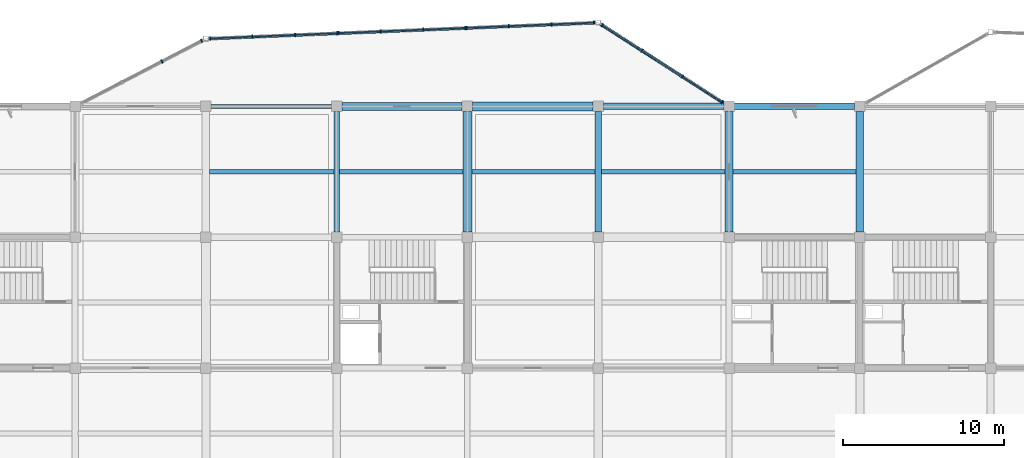
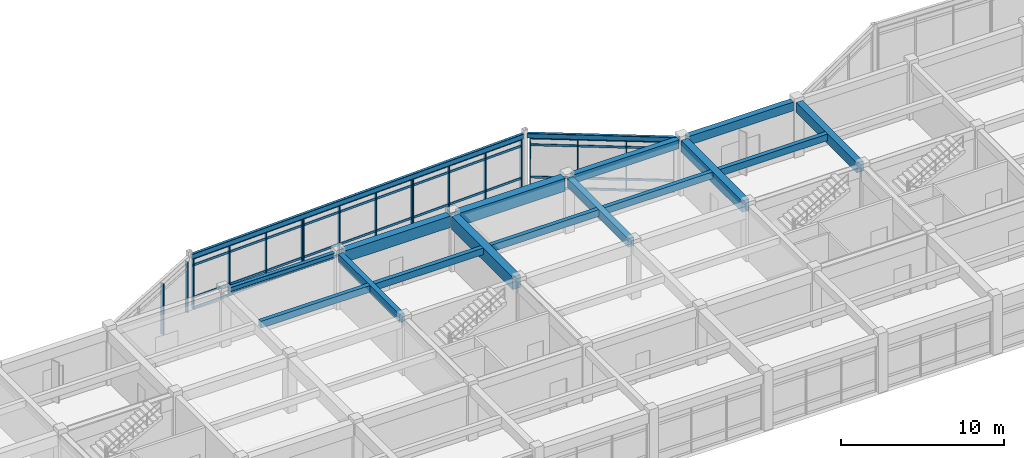
# One storey, part 46 of 89: 34 members, 17 beams, 5 elements without a shape of their own.
"""IFC4 building model written with IfcOpenShell, lengths in metres."""

from ifc_helpers import new_model, si_unit, direction, frame, origin, origin_2d, place, context, subcontext, project, spatial, rectangle, hollow_rectangle, i_section, extrude, material, layer, layer_set, material_profile, profile_set, type_object, element, aggregate, save


model = new_model("IFC4")

# Units and contexts
model_context = context("Model", 3, precision=1e-05, world=origin(), true_north=direction((0.0, 1.0)))
body_context = subcontext(model_context, "Body", "Model", "MODEL_VIEW")
ifc_project = project(units=[si_unit("LENGTHUNIT", "METRE"), si_unit("AREAUNIT", "SQUARE_METRE"), si_unit("VOLUMEUNIT", "CUBIC_METRE"), si_unit("PLANEANGLEUNIT", "RADIAN"), si_unit("MASSUNIT", "GRAM", prefix="KILO")], contexts=[model_context])

# Site, building, storey
site_placement = place(None, origin())
site = spatial("IfcSite", under=ifc_project, at=site_placement, CompositionType="ELEMENT")
building_placement = place(site_placement, origin())
building = spatial("IfcBuilding", under=site, at=building_placement, Name="Vaudrelin Polytechnic", CompositionType="ELEMENT")
storey_placement = place(building_placement, frame((0.0, 0.0, 9.68994140625)))
storey = spatial("IfcBuildingStorey", under=building, at=storey_placement, Name="L02", CompositionType="ELEMENT", Elevation=9.68994140625)

# Beams
ifc_material_1 = material(Name="Concrete 40 MPa", Category="concrete")
ifc_material_profile_1 = material_profile(ifc_material_1, rectangle(XDim=0.35009765625, YDim=0.60009765625, at=origin_2d()), Name="RC350x600")
ifc_profile_set_1 = profile_set([ifc_material_profile_1], Name="Concrete 40 MPa")
beam_type_1 = type_object("IfcBeamType", Name="BM-BM-RC3560", PredefinedType="BEAM", material=ifc_profile_set_1)
beam_1_placement = place(storey_placement, frame((81.0, 113.7099609375, 3.840087890625), z_axis=(0.0, 1.0, 0.0), x_axis=(-1.0, 0.0, 0.0)))
element("IfcBeam", 1, at=beam_1_placement, inside=storey, type_object=beam_type_1, Name="L02 Y-beam 11-15", PredefinedType="BEAM", context=body_context, shape_type="SweptSolid", body=[
    extrude(rectangle(XDim=0.35009765625, YDim=0.60009765625, at=origin_2d()), origin(), (0.0, 0.0, 1.0), 7.47998046875),
])
ifc_material_profile_2 = material_profile(ifc_material_1, rectangle(XDim=0.39990234375, YDim=0.64990234375, at=origin_2d()), Name="RC400x650")
ifc_profile_set_2 = profile_set([ifc_material_profile_2], Name="Concrete 40 MPa")
beam_type_2 = type_object("IfcBeamType", Name="BM-BM-RC4065", PredefinedType="BEAM", material=ifc_profile_set_2)
beam_2_placement = place(storey_placement, frame((97.199951171875, 113.7099609375, 3.81494140625), z_axis=(0.0, 1.0, 0.0), x_axis=(-1.0, 0.0, 0.0)))
element("IfcBeam", 2, at=beam_2_placement, inside=storey, type_object=beam_type_2, Name="L02 Y-beam 13-15", PredefinedType="BEAM", context=body_context, shape_type="SweptSolid", body=[
    extrude(rectangle(XDim=0.39990234375, YDim=0.64990234375, at=origin_2d()), origin(), (0.0, 0.0, 1.0), 7.47998046875),
])
beam_3_placement = place(storey_placement, frame((105.62109375, 121.5, 3.81494140625), z_axis=(1.0, 0.0, 0.0), x_axis=(0.0, 1.0, 0.0)))
element("IfcBeam", 3, at=beam_3_placement, inside=storey, type_object=beam_type_2, Name="L02 X-beam 14-16", PredefinedType="BEAM", context=body_context, shape_type="SweptSolid", body=[
    extrude(rectangle(XDim=0.39990234375, YDim=0.64990234375, at=origin_2d()), origin(), (0.0, 0.0, 1.0), 7.4580078125),
])
ifc_material_profile_3 = material_profile(ifc_material_1, rectangle(XDim=0.449951171875, YDim=0.75, at=origin_2d()), Name="RC450x750")
ifc_profile_set_3 = profile_set([ifc_material_profile_3], Name="Concrete 40 MPa")
beam_type_3 = type_object("IfcBeamType", Name="BM-BM-RC4575", PredefinedType="BEAM", material=ifc_profile_set_3)
beam_4_placement = place(storey_placement, frame((113.39990234375, 113.7099609375, 3.76513671875), z_axis=(0.0, 1.0, 0.0), x_axis=(-1.0, 0.0, 0.0)))
element("IfcBeam", 4, at=beam_4_placement, inside=storey, type_object=beam_type_3, Name="L02 Y-beam 15-15", PredefinedType="BEAM", context=body_context, shape_type="SweptSolid", body=[
    extrude(rectangle(XDim=0.449951171875, YDim=0.75, at=origin_2d()), origin(), (0.0, 0.0, 1.0), 7.47998046875),
])
ifc_material_profile_4 = material_profile(ifc_material_1, rectangle(XDim=0.5, YDim=0.85009765625, at=origin_2d()), Name="RC500x850")
ifc_profile_set_4 = profile_set([ifc_material_profile_4], Name="Concrete 40 MPa")
beam_type_4 = type_object("IfcBeamType", Name="BM-BM-RC5085", PredefinedType="BEAM", material=ifc_profile_set_4)
beam_5_placement = place(storey_placement, frame((105.300048828125, 113.7099609375, 3.715087890625), z_axis=(0.0, 1.0, 0.0), x_axis=(-1.0, 0.0, 0.0)))
element("IfcBeam", 5, at=beam_5_placement, inside=storey, type_object=beam_type_4, Name="L02 Y-beam 14-15", PredefinedType="BEAM", context=body_context, shape_type="SweptSolid", body=[
    extrude(rectangle(XDim=0.5, YDim=0.85009765625, at=origin_2d()), origin(), (0.0, 0.0, 1.0), 7.47998046875),
])
beam_6_placement = place(storey_placement, frame((81.321044921875, 121.5, 3.715087890625), z_axis=(1.0, 0.0, 0.0), x_axis=(0.0, 1.0, 0.0)))
element("IfcBeam", 6, at=beam_6_placement, inside=storey, type_object=beam_type_4, Name="L02 X-beam 11-16", PredefinedType="BEAM", context=body_context, shape_type="SweptSolid", body=[
    extrude(rectangle(XDim=0.5, YDim=0.85009765625, at=origin_2d()), origin(), (0.0, 0.0, 1.0), 7.4580078125),
])
ifc_material_2 = material(Name="Concrete 50 MPa", Category="concrete")
ifc_material_profile_5 = material_profile(ifc_material_2, rectangle(XDim=0.550048828125, YDim=0.949951171875, at=origin_2d()), Name="RC550x950")
ifc_profile_set_5 = profile_set([ifc_material_profile_5], Name="Concrete 50 MPa")
beam_type_5 = type_object("IfcBeamType", Name="BM-BM-RC5595", PredefinedType="BEAM", material=ifc_profile_set_5)
beam_7_placement = place(storey_placement, frame((89.10009765625, 113.7099609375, 3.6650390625), z_axis=(0.0, 1.0, 0.0), x_axis=(-1.0, 0.0, 0.0)))
element("IfcBeam", 7, at=beam_7_placement, inside=storey, type_object=beam_type_5, Name="L02 Y-beam 12-15", PredefinedType="BEAM", context=body_context, shape_type="SweptSolid", body=[
    extrude(rectangle(XDim=0.550048828125, YDim=0.949951171875, at=origin_2d()), origin(), (0.0, 0.0, 1.0), 7.47998046875),
])
beam_8_placement = place(storey_placement, frame((89.4208984375, 121.5, 3.6650390625), z_axis=(1.0, 0.0, 0.0), x_axis=(0.0, 1.0, 0.0)))
element("IfcBeam", 8, at=beam_8_placement, inside=storey, type_object=beam_type_5, Name="L02 X-beam 12-16", PredefinedType="BEAM", context=body_context, shape_type="SweptSolid", body=[
    extrude(rectangle(XDim=0.550048828125, YDim=0.949951171875, at=origin_2d()), origin(), (0.0, 0.0, 1.0), 7.4580078125),
])
ifc_material_3 = material(Name="Steel CSA G40.21 350WT", Category="steel")
ifc_material_profile_6 = material_profile(ifc_material_3, i_section(OverallWidth=0.260009765625, OverallDepth=0.4150390625, WebThickness=0.010009765625, FlangeThickness=0.016845703125, FilletRadius=0.01611328125, at=origin_2d()), Name="W410x100")
ifc_profile_set_6 = profile_set([ifc_material_profile_6], Name="Steel CSA G40.21 350WT")
beam_type_6 = type_object("IfcBeamType", Name="BM-BM-W410H", PredefinedType="SPANDREL", material=ifc_profile_set_6)
beam_9_placement = place(storey_placement, frame((73.220947265625, 121.5, 3.9326171875), z_axis=(1.0, 0.0, 0.0), x_axis=(0.0, 1.0, 0.0)))
element("IfcBeam", 9, at=beam_9_placement, inside=storey, type_object=beam_type_6, Name="L02 X-beam 10-16", PredefinedType="SPANDREL", context=body_context, shape_type="SweptSolid", body=[
    extrude(i_section(OverallWidth=0.260009765625, OverallDepth=0.4150390625, WebThickness=0.010009765625, FlangeThickness=0.016845703125, FilletRadius=0.01611328125, at=origin_2d()), origin(), (0.0, 0.0, 1.0), 7.4580078125),
])
ifc_material_profile_7 = material_profile(ifc_material_1, rectangle(XDim=0.300048828125, YDim=0.5, at=origin_2d()), Name="RC300x500")
ifc_profile_set_7 = profile_set([ifc_material_profile_7], Name="Concrete 40 MPa")
beam_type_7 = type_object("IfcBeamType", Name="BM-JS-RC3050", PredefinedType="JOIST", material=ifc_profile_set_7)
beam_10_placement = place(storey_placement, frame((73.12109375, 117.449951171875, 3.89013671875), z_axis=(1.0, 0.0, 0.0), x_axis=(0.0, 1.0, 0.0)))
element("IfcBeam", 10, at=beam_10_placement, inside=storey, type_object=beam_type_7, Name="L02 floor joist 10-15", PredefinedType="JOIST", context=body_context, shape_type="SweptSolid", body=[
    extrude(rectangle(XDim=0.300048828125, YDim=0.5, at=origin_2d()), origin(), (0.0, 0.0, 1.0), 7.7080078125),
])
beam_11_placement = place(storey_placement, frame((81.1708984375, 117.449951171875, 3.89013671875), z_axis=(1.0, 0.0, 0.0), x_axis=(0.0, 1.0, 0.0)))
element("IfcBeam", 11, at=beam_11_placement, inside=storey, type_object=beam_type_7, Name="L02 floor joist 11-15", PredefinedType="JOIST", context=body_context, shape_type="SweptSolid", body=[
    extrude(rectangle(XDim=0.300048828125, YDim=0.5, at=origin_2d()), origin(), (0.0, 0.0, 1.0), 7.658203125),
])
beam_12_placement = place(storey_placement, frame((89.37109375, 117.449951171875, 3.89013671875), z_axis=(1.0, 0.0, 0.0), x_axis=(0.0, 1.0, 0.0)))
element("IfcBeam", 12, at=beam_12_placement, inside=storey, type_object=beam_type_7, Name="L02 floor joist 12-15", PredefinedType="JOIST", context=body_context, shape_type="SweptSolid", body=[
    extrude(rectangle(XDim=0.300048828125, YDim=0.5, at=origin_2d()), origin(), (0.0, 0.0, 1.0), 7.6328125),
])
beam_13_placement = place(storey_placement, frame((97.39599609375, 117.449951171875, 3.89013671875), z_axis=(1.0, 0.0, 0.0), x_axis=(0.0, 1.0, 0.0)))
element("IfcBeam", 13, at=beam_13_placement, inside=storey, type_object=beam_type_7, Name="L02 floor joist 13-15", PredefinedType="JOIST", context=body_context, shape_type="SweptSolid", body=[
    extrude(rectangle(XDim=0.300048828125, YDim=0.5, at=origin_2d()), origin(), (0.0, 0.0, 1.0), 7.657958984375),
])
beam_14_placement = place(storey_placement, frame((105.5458984375, 117.449951171875, 3.89013671875), z_axis=(1.0, 0.0, 0.0), x_axis=(0.0, 1.0, 0.0)))
element("IfcBeam", 14, at=beam_14_placement, inside=storey, type_object=beam_type_7, Name="L02 floor joist 14-15", PredefinedType="JOIST", context=body_context, shape_type="SweptSolid", body=[
    extrude(rectangle(XDim=0.300048828125, YDim=0.5, at=origin_2d()), origin(), (0.0, 0.0, 1.0), 7.633056640625),
])
ifc_material_profile_8 = material_profile(ifc_material_3, hollow_rectangle(XDim=0.202880859375, YDim=0.35595703125, WallThickness=0.0126953125, InnerFilletRadius=0.0126953125, OuterFilletRadius=0.025390625, at=origin_2d()), Name="HSS356x203x12.7")
ifc_profile_set_8 = profile_set([ifc_material_profile_8], Name="Steel CSA G40.21 350WT")
beam_type_8 = type_object("IfcBeamType", Name="BM-SP-HSS35", PredefinedType="SPANDREL", material=ifc_profile_set_8)
beam_15_placement = place(storey_placement, frame((73.039794921875, 125.705810546875, 3.962158203125), z_axis=(0.99915467323, 0.0411088672, 0.0), x_axis=(-0.0411088672, 0.99915467323, 0.0)))
element("IfcBeam", 15, at=beam_15_placement, inside=storey, type_object=beam_type_8, Name="Sculptural edge beam L02 N_OR2_B2", PredefinedType="SPANDREL", context=body_context, shape_type="SweptSolid", body=[
    extrude(hollow_rectangle(XDim=0.202880859375, YDim=0.35595703125, WallThickness=0.0126953125, InnerFilletRadius=0.0126953125, OuterFilletRadius=0.025390625, at=origin_2d()), origin(), (0.0, 0.0, 1.0), 24.04052734375),
])
beam_16_placement = place(storey_placement, frame((97.31787109375, 126.62451171875, 3.962158203125), z_axis=(0.84150765207, -0.540245195729, 0.0), x_axis=(0.540245195729, 0.84150765207, 0.0)))
element("IfcBeam", 16, at=beam_16_placement, inside=storey, type_object=beam_type_8, Name="Sculptural edge beam L02 N_OR2_B3", PredefinedType="SPANDREL", context=body_context, shape_type="SweptSolid", body=[
    extrude(hollow_rectangle(XDim=0.202880859375, YDim=0.35595703125, WallThickness=0.0126953125, InnerFilletRadius=0.0126953125, OuterFilletRadius=0.025390625, at=origin_2d()), origin(), (0.0, 0.0, 1.0), 9.345458984375),
])
ifc_material_profile_9 = material_profile(ifc_material_1, rectangle(XDim=0.39990234375, YDim=0.64990234375, at=origin_2d()), Name="RC400x650")
ifc_profile_set_9 = profile_set([ifc_material_profile_9], Name="Concrete 40 MPa")
beam_type_9 = type_object("IfcBeamType", Name="BM-SP-RC4065", PredefinedType="SPANDREL", material=ifc_profile_set_9)
beam_17_placement = place(storey_placement, frame((97.52099609375, 121.5, 3.81494140625), z_axis=(1.0, 0.0, 0.0), x_axis=(0.0, 1.0, 0.0)))
element("IfcBeam", 17, at=beam_17_placement, inside=storey, type_object=beam_type_9, Name="L02 X-beam 13-16", PredefinedType="SPANDREL", context=body_context, shape_type="SweptSolid", body=[
    extrude(rectangle(XDim=0.39990234375, YDim=0.64990234375, at=origin_2d()), origin(), (0.0, 0.0, 1.0), 7.4580078125),
])

# Curtain wall, members
ifc_material_4 = material(Name="Thermally broken anodised aluminium AA 6063-T6 and low-e triple glazing", Category="aluminium")
ifc_layer = layer(ifc_material_4, 0.199951171875)
ifc_layer_set = layer_set([ifc_layer], Name="Thermally broken anodised aluminium AA 6063-T6 and low-e triple glazing")
curtain_wall_type = type_object("IfcCurtainWallType", Name="CW-CW-STU", PredefinedType="USERDEFINED", material=ifc_layer_set)
curtain_wall_1_placement = place(storey_placement, origin())
curtain_wall_1 = element("IfcCurtainWall", 18, at=curtain_wall_1_placement, inside=storey, type_object=curtain_wall_type, Name="Curtain wall L02 N_OR2_1_0", ObjectType="CURTAIN WALL", PredefinedType="USERDEFINED")
ifc_material_5 = material(Name="Anodised aluminium AA 6063-T6", Category="aluminium")
ifc_material_profile_10 = material_profile(ifc_material_5, rectangle(XDim=0.074951171875, YDim=0.219970703125, at=origin_2d()), Name="CWM-75x220")
ifc_profile_set_10 = profile_set([ifc_material_profile_10], Name="Anodised aluminium AA 6063-T6")
member_type_1 = type_object("IfcMemberType", Name="MEM-CWM-220", PredefinedType="MULLION", material=ifc_profile_set_10)
member_1_placement = place(storey_placement, frame((70.181396484375, 124.290283203125, 0.0), z_axis=(0.0, 0.0, 1.0), x_axis=(0.88775021542, 0.460325488129, 0.0)))
member_1 = element("IfcMember", 19, at=member_1_placement, type_object=member_type_1, Name="N_OR2_1_0 mullion 3", PredefinedType="MULLION", context=body_context, shape_type="SweptSolid", body=[
    extrude(rectangle(XDim=0.074951171875, YDim=0.219970703125, at=origin_2d()), origin(), (0.0, 0.0, 1.0), 3.81005859375),
])
member_2_placement = place(storey_placement, frame((72.636474609375, 125.5634765625, 0.0), z_axis=(0.0, 0.0, 1.0), x_axis=(0.88775021542, 0.460325488129, 0.0)))
member_2 = element("IfcMember", 20, at=member_2_placement, type_object=member_type_1, Name="N_OR2_1_0 mullion 4", PredefinedType="MULLION", context=body_context, shape_type="SweptSolid", body=[
    extrude(rectangle(XDim=0.074951171875, YDim=0.219970703125, at=origin_2d()), origin(), (0.0, 0.0, 1.0), 3.81005859375),
])
aggregate(curtain_wall_1, [member_1, member_2])

curtain_wall_2_placement = place(storey_placement, origin())
curtain_wall_2 = element("IfcCurtainWall", 21, at=curtain_wall_2_placement, inside=storey, type_object=curtain_wall_type, Name="Curtain wall L02 N_OR2_2_0", ObjectType="CURTAIN WALL", PredefinedType="USERDEFINED")
member_3_placement = place(storey_placement, frame((73.177490234375, 125.71142578125, 0.0), z_axis=(0.0, 0.0, 1.0), x_axis=(0.999154417424, 0.041115084128, 0.0)))
member_3 = element("IfcMember", 22, at=member_3_placement, type_object=member_type_1, Name="N_OR2_2_0 mullion 1", PredefinedType="MULLION", context=body_context, shape_type="SweptSolid", body=[
    extrude(rectangle(XDim=0.074951171875, YDim=0.219970703125, at=origin_2d()), origin(), (0.0, 0.0, 1.0), 3.81005859375),
])
member_4_placement = place(storey_placement, frame((75.78466796875, 125.818603515625, 0.0), z_axis=(0.0, 0.0, 1.0), x_axis=(0.999154417424, 0.041115084128, 0.0)))
member_4 = element("IfcMember", 23, at=member_4_placement, type_object=member_type_1, Name="N_OR2_2_0 mullion 2", PredefinedType="MULLION", context=body_context, shape_type="SweptSolid", body=[
    extrude(rectangle(XDim=0.074951171875, YDim=0.219970703125, at=origin_2d()), origin(), (0.0, 0.0, 1.0), 3.81005859375),
])
member_5_placement = place(storey_placement, frame((78.431884765625, 125.927734375, 0.0), z_axis=(0.0, 0.0, 1.0), x_axis=(0.999154417424, 0.041115084128, 0.0)))
member_5 = element("IfcMember", 24, at=member_5_placement, type_object=member_type_1, Name="N_OR2_2_0 mullion 3", PredefinedType="MULLION", context=body_context, shape_type="SweptSolid", body=[
    extrude(rectangle(XDim=0.074951171875, YDim=0.219970703125, at=origin_2d()), origin(), (0.0, 0.0, 1.0), 3.81005859375),
])
member_6_placement = place(storey_placement, frame((81.0390625, 126.034912109375, 0.0), z_axis=(0.0, 0.0, 1.0), x_axis=(0.999154417424, 0.041115084128, 0.0)))
member_6 = element("IfcMember", 25, at=member_6_placement, type_object=member_type_1, Name="N_OR2_2_0 mullion 4", PredefinedType="MULLION", context=body_context, shape_type="SweptSolid", body=[
    extrude(rectangle(XDim=0.074951171875, YDim=0.219970703125, at=origin_2d()), origin(), (0.0, 0.0, 1.0), 3.81005859375),
])

curtain_wall_3_placement = place(storey_placement, origin())
curtain_wall_3 = element("IfcCurtainWall", 26, at=curtain_wall_3_placement, inside=storey, type_object=curtain_wall_type, Name="Curtain wall L02 N_OR2_2_1", ObjectType="CURTAIN WALL", PredefinedType="USERDEFINED")
member_7_placement = place(storey_placement, frame((81.119140625, 126.0380859375, 0.0), z_axis=(0.0, 0.0, 1.0), x_axis=(0.999154438691, 0.041114567302, 0.0)))
member_7 = element("IfcMember", 27, at=member_7_placement, type_object=member_type_1, Name="N_OR2_2_1 mullion 1", PredefinedType="MULLION", context=body_context, shape_type="SweptSolid", body=[
    extrude(rectangle(XDim=0.074951171875, YDim=0.219970703125, at=origin_2d()), origin(), (0.0, 0.0, 1.0), 3.81005859375),
])
member_8_placement = place(storey_placement, frame((83.726318359375, 126.1455078125, 0.0), z_axis=(0.0, 0.0, 1.0), x_axis=(0.999154438691, 0.041114567302, 0.0)))
member_8 = element("IfcMember", 28, at=member_8_placement, type_object=member_type_1, Name="N_OR2_2_1 mullion 2", PredefinedType="MULLION", context=body_context, shape_type="SweptSolid", body=[
    extrude(rectangle(XDim=0.074951171875, YDim=0.219970703125, at=origin_2d()), origin(), (0.0, 0.0, 1.0), 3.81005859375),
])
member_9_placement = place(storey_placement, frame((86.37353515625, 126.25439453125, 0.0), z_axis=(0.0, 0.0, 1.0), x_axis=(0.999154438691, 0.041114567302, 0.0)))
member_9 = element("IfcMember", 29, at=member_9_placement, type_object=member_type_1, Name="N_OR2_2_1 mullion 3", PredefinedType="MULLION", context=body_context, shape_type="SweptSolid", body=[
    extrude(rectangle(XDim=0.074951171875, YDim=0.219970703125, at=origin_2d()), origin(), (0.0, 0.0, 1.0), 3.81005859375),
])
member_10_placement = place(storey_placement, frame((88.98095703125, 126.36181640625, 0.0), z_axis=(0.0, 0.0, 1.0), x_axis=(0.999154438691, 0.041114567302, 0.0)))
member_10 = element("IfcMember", 30, at=member_10_placement, type_object=member_type_1, Name="N_OR2_2_1 mullion 4", PredefinedType="MULLION", context=body_context, shape_type="SweptSolid", body=[
    extrude(rectangle(XDim=0.074951171875, YDim=0.219970703125, at=origin_2d()), origin(), (0.0, 0.0, 1.0), 3.81005859375),
])

curtain_wall_4_placement = place(storey_placement, origin())
curtain_wall_4 = element("IfcCurtainWall", 31, at=curtain_wall_4_placement, inside=storey, type_object=curtain_wall_type, Name="Curtain wall L02 N_OR2_2_2", ObjectType="CURTAIN WALL", PredefinedType="USERDEFINED")
member_11_placement = place(storey_placement, frame((89.060791015625, 126.364990234375, 0.0), z_axis=(0.0, 0.0, 1.0), x_axis=(0.999154417424, 0.041115084128, 0.0)))
member_11 = element("IfcMember", 32, at=member_11_placement, type_object=member_type_1, Name="N_OR2_2_2 mullion 1", PredefinedType="MULLION", context=body_context, shape_type="SweptSolid", body=[
    extrude(rectangle(XDim=0.074951171875, YDim=0.219970703125, at=origin_2d()), origin(), (0.0, 0.0, 1.0), 3.81005859375),
])
member_12_placement = place(storey_placement, frame((91.668212890625, 126.472412109375, 0.0), z_axis=(0.0, 0.0, 1.0), x_axis=(0.999154417424, 0.041115084128, 0.0)))
member_12 = element("IfcMember", 33, at=member_12_placement, type_object=member_type_1, Name="N_OR2_2_2 mullion 2", PredefinedType="MULLION", context=body_context, shape_type="SweptSolid", body=[
    extrude(rectangle(XDim=0.074951171875, YDim=0.219970703125, at=origin_2d()), origin(), (0.0, 0.0, 1.0), 3.81005859375),
])
member_13_placement = place(storey_placement, frame((94.3154296875, 126.581298828125, 0.0), z_axis=(0.0, 0.0, 1.0), x_axis=(0.999154417424, 0.041115084128, 0.0)))
member_13 = element("IfcMember", 34, at=member_13_placement, type_object=member_type_1, Name="N_OR2_2_2 mullion 3", PredefinedType="MULLION", context=body_context, shape_type="SweptSolid", body=[
    extrude(rectangle(XDim=0.074951171875, YDim=0.219970703125, at=origin_2d()), origin(), (0.0, 0.0, 1.0), 3.81005859375),
])
member_14_placement = place(storey_placement, frame((96.922607421875, 126.688720703125, 0.0), z_axis=(0.0, 0.0, 1.0), x_axis=(0.999154417424, 0.041115084128, 0.0)))
member_14 = element("IfcMember", 35, at=member_14_placement, type_object=member_type_1, Name="N_OR2_2_2 mullion 4", PredefinedType="MULLION", context=body_context, shape_type="SweptSolid", body=[
    extrude(rectangle(XDim=0.074951171875, YDim=0.219970703125, at=origin_2d()), origin(), (0.0, 0.0, 1.0), 3.81005859375),
])

curtain_wall_5_placement = place(storey_placement, origin())
curtain_wall_5 = element("IfcCurtainWall", 36, at=curtain_wall_5_placement, inside=storey, type_object=curtain_wall_type, Name="Curtain wall L02 N_OR2_3_0", ObjectType="CURTAIN WALL", PredefinedType="USERDEFINED")
member_15_placement = place(storey_placement, frame((97.457763671875, 126.53466796875, 0.0), z_axis=(0.0, 0.0, 1.0), x_axis=(0.841518641414, -0.540228077901, 0.0)))
member_15 = element("IfcMember", 37, at=member_15_placement, type_object=member_type_1, Name="N_OR2_3_0 mullion 1", PredefinedType="MULLION", context=body_context, shape_type="SweptSolid", body=[
    extrude(rectangle(XDim=0.074951171875, YDim=0.219970703125, at=origin_2d()), origin(), (0.0, 0.0, 1.0), 3.81005859375),
])
member_16_placement = place(storey_placement, frame((99.917236328125, 124.955810546875, 0.0), z_axis=(0.0, 0.0, 1.0), x_axis=(0.841518641414, -0.540228077901, 0.0)))
member_16 = element("IfcMember", 38, at=member_16_placement, type_object=member_type_1, Name="N_OR2_3_0 mullion 2", PredefinedType="MULLION", context=body_context, shape_type="SweptSolid", body=[
    extrude(rectangle(XDim=0.074951171875, YDim=0.219970703125, at=origin_2d()), origin(), (0.0, 0.0, 1.0), 3.81005859375),
])
member_17_placement = place(storey_placement, frame((102.410400390625, 123.35498046875, 0.0), z_axis=(0.0, 0.0, 1.0), x_axis=(0.841518641414, -0.540228077901, 0.0)))
member_17 = element("IfcMember", 39, at=member_17_placement, type_object=member_type_1, Name="N_OR2_3_0 mullion 3", PredefinedType="MULLION", context=body_context, shape_type="SweptSolid", body=[
    extrude(rectangle(XDim=0.074951171875, YDim=0.219970703125, at=origin_2d()), origin(), (0.0, 0.0, 1.0), 3.81005859375),
])
member_18_placement = place(storey_placement, frame((104.869873046875, 121.776123046875, 0.0), z_axis=(0.0, 0.0, 1.0), x_axis=(0.841518641414, -0.540228077901, 0.0)))
member_18 = element("IfcMember", 40, at=member_18_placement, type_object=member_type_1, Name="N_OR2_3_0 mullion 4", PredefinedType="MULLION", context=body_context, shape_type="SweptSolid", body=[
    extrude(rectangle(XDim=0.074951171875, YDim=0.219970703125, at=origin_2d()), origin(), (0.0, 0.0, 1.0), 3.81005859375),
])

# Member
ifc_material_profile_11 = material_profile(ifc_material_5, rectangle(XDim=0.074951171875, YDim=0.1650390625, at=origin_2d()), Name="CWT-75x165")
ifc_profile_set_11 = profile_set([ifc_material_profile_11], Name="Anodised aluminium AA 6063-T6")
member_type_2 = type_object("IfcMemberType", Name="MEM-CWT-165", PredefinedType="USERDEFINED", material=ifc_profile_set_11)
member_19_placement = place(storey_placement, frame((73.137451171875, 125.709716796875, 0.050048828125), z_axis=(0.999153867736, 0.041128440127, 0.0), x_axis=(-0.041128440127, 0.999153867736, 0.0)))
member_19 = element("IfcMember", 41, at=member_19_placement, type_object=member_type_2, Name="N_OR2_2_0 transom 1", ObjectType="TRANSOM", PredefinedType="USERDEFINED", context=body_context, shape_type="SweptSolid", body=[
    extrude(rectangle(XDim=0.074951171875, YDim=0.1650390625, at=origin_2d()), origin(), (0.0, 0.0, 1.0), 7.948486328125),
])

member_20_placement = place(storey_placement, frame((73.137451171875, 125.709716796875, 0.85009765625), z_axis=(0.999153867736, 0.041128440127, 0.0), x_axis=(-0.041128440127, 0.999153867736, 0.0)))
member_20 = element("IfcMember", 42, at=member_20_placement, type_object=member_type_2, Name="N_OR2_2_0 transom 2", ObjectType="TRANSOM", PredefinedType="USERDEFINED", context=body_context, shape_type="SweptSolid", body=[
    extrude(rectangle(XDim=0.074951171875, YDim=0.1650390625, at=origin_2d()), origin(), (0.0, 0.0, 1.0), 7.948486328125),
])

member_21_placement = place(storey_placement, frame((73.137451171875, 125.709716796875, 3.260009765625), z_axis=(0.999153867736, 0.041128440127, 0.0), x_axis=(-0.041128440127, 0.999153867736, 0.0)))
member_21 = element("IfcMember", 43, at=member_21_placement, type_object=member_type_2, Name="N_OR2_2_0 transom 3", ObjectType="TRANSOM", PredefinedType="USERDEFINED", context=body_context, shape_type="SweptSolid", body=[
    extrude(rectangle(XDim=0.074951171875, YDim=0.1650390625, at=origin_2d()), origin(), (0.0, 0.0, 1.0), 7.948486328125),
])

member_22_placement = place(storey_placement, frame((73.137451171875, 125.709716796875, 3.760009765625), z_axis=(0.999153867736, 0.041128440127, 0.0), x_axis=(-0.041128440127, 0.999153867736, 0.0)))
member_22 = element("IfcMember", 44, at=member_22_placement, type_object=member_type_2, Name="N_OR2_2_0 transom 4", ObjectType="TRANSOM", PredefinedType="USERDEFINED", context=body_context, shape_type="SweptSolid", body=[
    extrude(rectangle(XDim=0.074951171875, YDim=0.1650390625, at=origin_2d()), origin(), (0.0, 0.0, 1.0), 7.948486328125),
])

aggregate(curtain_wall_2, [member_3, member_4, member_5, member_6, member_19, member_20, member_21, member_22])

member_23_placement = place(storey_placement, frame((81.0791015625, 126.03662109375, 0.050048828125), z_axis=(0.999155181369, 0.041096514991, 0.0), x_axis=(-0.041096514991, 0.999155181369, 0.0)))
member_23 = element("IfcMember", 45, at=member_23_placement, type_object=member_type_2, Name="N_OR2_2_1 transom 1", ObjectType="TRANSOM", PredefinedType="USERDEFINED", context=body_context, shape_type="SweptSolid", body=[
    extrude(rectangle(XDim=0.074951171875, YDim=0.1650390625, at=origin_2d()), origin(), (0.0, 0.0, 1.0), 7.94873046875),
])

member_24_placement = place(storey_placement, frame((81.0791015625, 126.03662109375, 0.85009765625), z_axis=(0.999155181369, 0.041096514991, 0.0), x_axis=(-0.041096514991, 0.999155181369, 0.0)))
member_24 = element("IfcMember", 46, at=member_24_placement, type_object=member_type_2, Name="N_OR2_2_1 transom 2", ObjectType="TRANSOM", PredefinedType="USERDEFINED", context=body_context, shape_type="SweptSolid", body=[
    extrude(rectangle(XDim=0.074951171875, YDim=0.1650390625, at=origin_2d()), origin(), (0.0, 0.0, 1.0), 7.94873046875),
])

member_25_placement = place(storey_placement, frame((81.0791015625, 126.03662109375, 3.260009765625), z_axis=(0.999155181369, 0.041096514991, 0.0), x_axis=(-0.041096514991, 0.999155181369, 0.0)))
member_25 = element("IfcMember", 47, at=member_25_placement, type_object=member_type_2, Name="N_OR2_2_1 transom 3", ObjectType="TRANSOM", PredefinedType="USERDEFINED", context=body_context, shape_type="SweptSolid", body=[
    extrude(rectangle(XDim=0.074951171875, YDim=0.1650390625, at=origin_2d()), origin(), (0.0, 0.0, 1.0), 7.94873046875),
])

member_26_placement = place(storey_placement, frame((81.0791015625, 126.03662109375, 3.760009765625), z_axis=(0.999155181369, 0.041096514991, 0.0), x_axis=(-0.041096514991, 0.999155181369, 0.0)))
member_26 = element("IfcMember", 48, at=member_26_placement, type_object=member_type_2, Name="N_OR2_2_1 transom 4", ObjectType="TRANSOM", PredefinedType="USERDEFINED", context=body_context, shape_type="SweptSolid", body=[
    extrude(rectangle(XDim=0.074951171875, YDim=0.1650390625, at=origin_2d()), origin(), (0.0, 0.0, 1.0), 7.94873046875),
])

aggregate(curtain_wall_3, [member_7, member_8, member_9, member_10, member_23, member_24, member_25, member_26])

member_27_placement = place(storey_placement, frame((89.02099609375, 126.36328125, 0.050048828125), z_axis=(0.999153867736, 0.041128440127, 0.0), x_axis=(-0.041128440127, 0.999153867736, 0.0)))
member_27 = element("IfcMember", 49, at=member_27_placement, type_object=member_type_2, Name="N_OR2_2_2 transom 1", ObjectType="TRANSOM", PredefinedType="USERDEFINED", context=body_context, shape_type="SweptSolid", body=[
    extrude(rectangle(XDim=0.074951171875, YDim=0.1650390625, at=origin_2d()), origin(), (0.0, 0.0, 1.0), 7.948486328125),
])

member_28_placement = place(storey_placement, frame((89.02099609375, 126.36328125, 0.85009765625), z_axis=(0.999153867736, 0.041128440127, 0.0), x_axis=(-0.041128440127, 0.999153867736, 0.0)))
member_28 = element("IfcMember", 50, at=member_28_placement, type_object=member_type_2, Name="N_OR2_2_2 transom 2", ObjectType="TRANSOM", PredefinedType="USERDEFINED", context=body_context, shape_type="SweptSolid", body=[
    extrude(rectangle(XDim=0.074951171875, YDim=0.1650390625, at=origin_2d()), origin(), (0.0, 0.0, 1.0), 7.948486328125),
])

member_29_placement = place(storey_placement, frame((89.02099609375, 126.36328125, 3.260009765625), z_axis=(0.999153867736, 0.041128440127, 0.0), x_axis=(-0.041128440127, 0.999153867736, 0.0)))
member_29 = element("IfcMember", 51, at=member_29_placement, type_object=member_type_2, Name="N_OR2_2_2 transom 3", ObjectType="TRANSOM", PredefinedType="USERDEFINED", context=body_context, shape_type="SweptSolid", body=[
    extrude(rectangle(XDim=0.074951171875, YDim=0.1650390625, at=origin_2d()), origin(), (0.0, 0.0, 1.0), 7.948486328125),
])

member_30_placement = place(storey_placement, frame((89.02099609375, 126.36328125, 3.760009765625), z_axis=(0.999153867736, 0.041128440127, 0.0), x_axis=(-0.041128440127, 0.999153867736, 0.0)))
member_30 = element("IfcMember", 52, at=member_30_placement, type_object=member_type_2, Name="N_OR2_2_2 transom 4", ObjectType="TRANSOM", PredefinedType="USERDEFINED", context=body_context, shape_type="SweptSolid", body=[
    extrude(rectangle(XDim=0.074951171875, YDim=0.1650390625, at=origin_2d()), origin(), (0.0, 0.0, 1.0), 7.948486328125),
])

aggregate(curtain_wall_4, [member_11, member_12, member_13, member_14, member_27, member_28, member_29, member_30])

member_31_placement = place(storey_placement, frame((97.424072265625, 126.55615234375, 0.050048828125), z_axis=(0.841522800434, -0.540221599299, 0.0), x_axis=(0.540221599299, 0.841522800434, 0.0)))
member_31 = element("IfcMember", 53, at=member_31_placement, type_object=member_type_2, Name="N_OR2_3_0 transom 1", ObjectType="TRANSOM", PredefinedType="USERDEFINED", context=body_context, shape_type="SweptSolid", body=[
    extrude(rectangle(XDim=0.074951171875, YDim=0.1650390625, at=origin_2d()), origin(), (0.0, 0.0, 1.0), 8.887939453125),
])

member_32_placement = place(storey_placement, frame((97.424072265625, 126.55615234375, 0.85009765625), z_axis=(0.841522800434, -0.540221599299, 0.0), x_axis=(0.540221599299, 0.841522800434, 0.0)))
member_32 = element("IfcMember", 54, at=member_32_placement, type_object=member_type_2, Name="N_OR2_3_0 transom 2", ObjectType="TRANSOM", PredefinedType="USERDEFINED", context=body_context, shape_type="SweptSolid", body=[
    extrude(rectangle(XDim=0.074951171875, YDim=0.1650390625, at=origin_2d()), origin(), (0.0, 0.0, 1.0), 8.887939453125),
])

member_33_placement = place(storey_placement, frame((97.424072265625, 126.55615234375, 3.260009765625), z_axis=(0.841522800434, -0.540221599299, 0.0), x_axis=(0.540221599299, 0.841522800434, 0.0)))
member_33 = element("IfcMember", 55, at=member_33_placement, type_object=member_type_2, Name="N_OR2_3_0 transom 3", ObjectType="TRANSOM", PredefinedType="USERDEFINED", context=body_context, shape_type="SweptSolid", body=[
    extrude(rectangle(XDim=0.074951171875, YDim=0.1650390625, at=origin_2d()), origin(), (0.0, 0.0, 1.0), 8.887939453125),
])

member_34_placement = place(storey_placement, frame((97.424072265625, 126.55615234375, 3.760009765625), z_axis=(0.841522800434, -0.540221599299, 0.0), x_axis=(0.540221599299, 0.841522800434, 0.0)))
member_34 = element("IfcMember", 56, at=member_34_placement, type_object=member_type_2, Name="N_OR2_3_0 transom 4", ObjectType="TRANSOM", PredefinedType="USERDEFINED", context=body_context, shape_type="SweptSolid", body=[
    extrude(rectangle(XDim=0.074951171875, YDim=0.1650390625, at=origin_2d()), origin(), (0.0, 0.0, 1.0), 8.887939453125),
])

aggregate(curtain_wall_5, [member_15, member_16, member_17, member_18, member_31, member_32, member_33, member_34])

save(model, "model.ifc")
